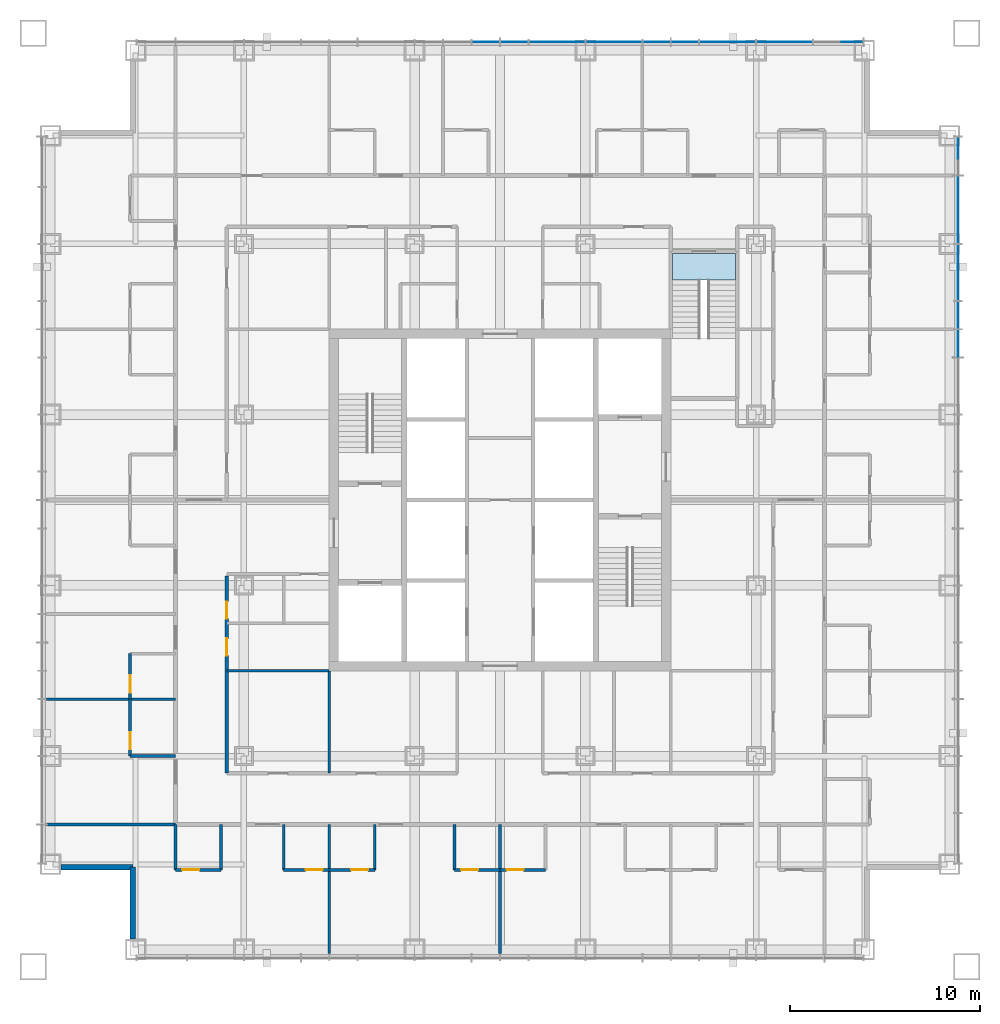
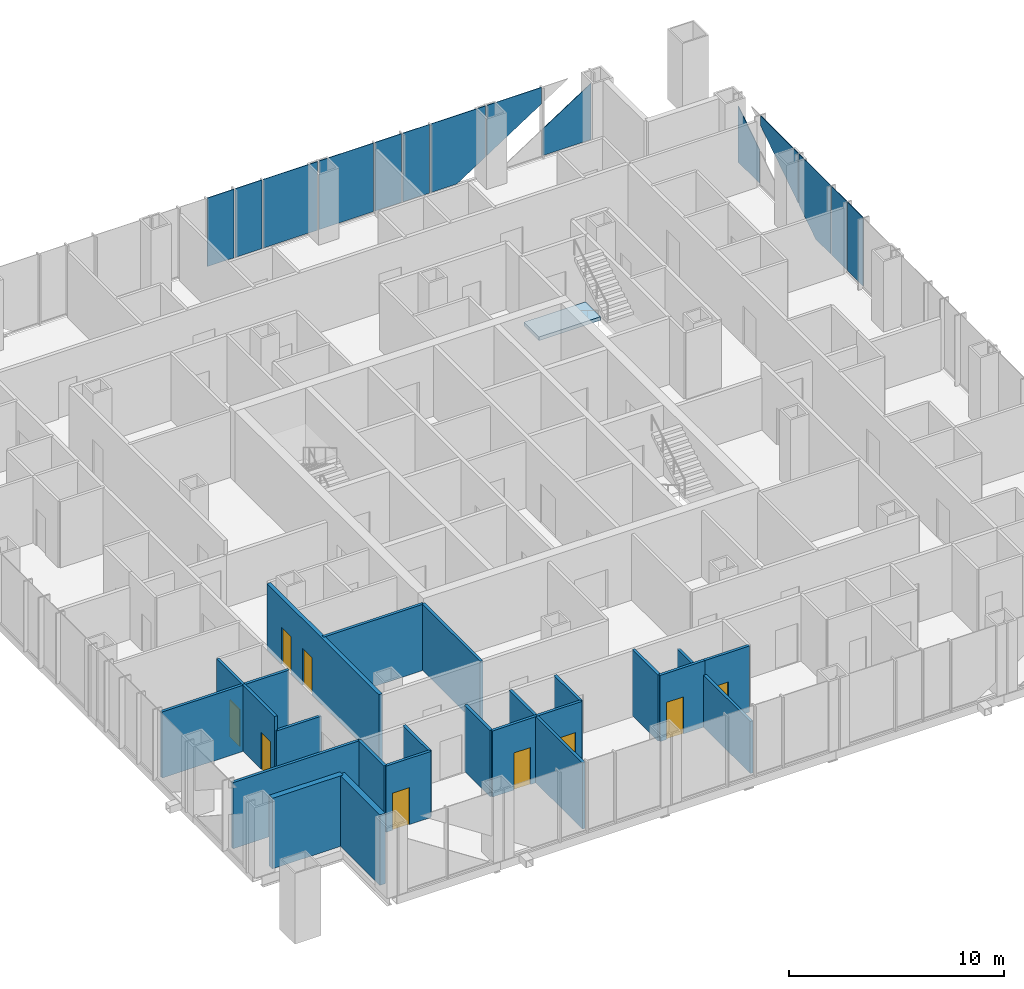
# One storey, part 8 of 14: 22 walls, 14 plates, 9 doors, 1 slab, 9 openings, 3 elements without a shape of their own.
"""IFC4 building model written with IfcOpenShell, lengths in metres."""

from ifc_helpers import new_model, si_unit, direction, frame, frame_2d, origin, origin_2d, place, context, subcontext, project, spatial, polyline, rectangle, outline, extrude, material, layer, layer_set, type_object, element, fill, aggregate, save


model = new_model("IFC4")

# Units and contexts
model_context = context("Model", 3, precision=1e-05, world=origin(), true_north=direction((0.0, 1.0)))
body_context = subcontext(model_context, "Body", "Model", "MODEL_VIEW")
ifc_project = project(units=[si_unit("LENGTHUNIT", "METRE"), si_unit("AREAUNIT", "SQUARE_METRE"), si_unit("VOLUMEUNIT", "CUBIC_METRE"), si_unit("PLANEANGLEUNIT", "RADIAN"), si_unit("MASSUNIT", "GRAM", prefix="KILO")], contexts=[model_context])

# Site, building, storey
site_placement = place(None, origin())
site = spatial("IfcSite", under=ifc_project, at=site_placement, CompositionType="ELEMENT")
building_placement = place(site_placement, origin())
building = spatial("IfcBuilding", under=site, at=building_placement, Name="Malebo Sky Hospital", CompositionType="ELEMENT")
storey_placement = place(building_placement, frame((0.0, 0.0, 164.0)))
storey = spatial("IfcBuildingStorey", under=building, at=storey_placement, Name="L39", CompositionType="ELEMENT", Elevation=164.0)

# Stair, slab
ifc_material_1 = material(Name="Concrete C40/50", Category="concrete")
stair_type = type_object("IfcStairType", Name="HALF-TURN STAIR 1400 R167", PredefinedType="HALF_TURN_STAIR", material=ifc_material_1)
stair_placement = place(storey_placement, origin())
stair = element("IfcStair", 1, at=stair_placement, inside=storey, type_object=stair_type, Name="Stair S3 L39 type ST1B", PredefinedType="HALF_TURN_STAIR")
ifc_layer_1 = layer(ifc_material_1, 0.199951171875)
ifc_layer_set_1 = layer_set([ifc_layer_1], Name="STAIR LANDING 200")
slab_type = type_object("IfcSlabType", Name="STAIR LANDING 200", PredefinedType="LANDING", material=ifc_layer_set_1)
slab_placement = place(storey_placement, frame((0.0, 0.0, -0.199951171875)))
slab = element("IfcSlab", 2, at=slab_placement, type_object=slab_type, Name="S3 landing 1", PredefinedType="LANDING", context=body_context, shape_type="SweptSolid", body=[
    extrude(outline(polyline([(69.10009765625, 73.60009765625), (72.39990234375, 73.60009765625), (72.39990234375, 75.0), (69.10009765625, 75.0), (69.10009765625, 73.60009765625)])), origin(), (0.0, 0.0, 1.0), 0.199951171875),
])
aggregate(stair, [slab])

# Curtain wall, plates
ifc_material_2 = material(Name="Anodised aluminium, natural silver", Category="aluminium")
ifc_layer_2 = layer(ifc_material_2, 0.25)
ifc_layer_set_2 = layer_set([ifc_layer_2], Name="WARD CURTAIN WALL NORTH AND SOUTH")
curtain_wall_type_1 = type_object("IfcCurtainWallType", Name="WARD CURTAIN WALL NORTH AND SOUTH", PredefinedType="NOTDEFINED", material=ifc_layer_set_2)
curtain_wall_1_placement = place(storey_placement, origin())
curtain_wall_1 = element("IfcCurtainWall", 3, at=curtain_wall_1_placement, inside=storey, type_object=curtain_wall_type_1, Name="NS curtain wall N", PredefinedType="NOTDEFINED")
ifc_material_3 = material(Name="Clear low-iron double glazing", Category="glass")
ifc_layer_3 = layer(ifc_material_3, 0.031982421875)
ifc_layer_set_3 = layer_set([ifc_layer_3], Name="VISION PANEL CLEAR 32")
plate_type = type_object("IfcPlateType", Name="VISION PANEL CLEAR 32", PredefinedType="CURTAIN_PANEL", material=ifc_layer_set_3)
plate_1_placement = place(storey_placement, frame((59.25, 86.135009765625, 0.10009765625), z_axis=(0.0, 0.0, 1.0), x_axis=(1.0, 0.0, 0.0)))
plate_1 = element("IfcPlate", 4, at=plate_1_placement, type_object=plate_type, Name="Panel 9", PredefinedType="CURTAIN_PANEL", context=body_context, shape_type="SweptSolid", body=[
    extrude(rectangle(XDim=1.425048828125, YDim=0.031982421875, at=origin_2d()), origin(), (0.0, 0.0, 1.0), 3.889892578125),
])
plate_2_placement = place(storey_placement, frame((60.75, 86.135009765625, 0.10009765625), z_axis=(0.0, 0.0, 1.0), x_axis=(1.0, 0.0, 0.0)))
plate_2 = element("IfcPlate", 5, at=plate_2_placement, type_object=plate_type, Name="Panel 10", PredefinedType="CURTAIN_PANEL", context=body_context, shape_type="SweptSolid", body=[
    extrude(rectangle(XDim=1.425048828125, YDim=0.031982421875, at=origin_2d()), origin(), (0.0, 0.0, 1.0), 3.889892578125),
])
plate_3_placement = place(storey_placement, frame((63.0, 86.135009765625, 0.10009765625), z_axis=(0.0, 0.0, 1.0), x_axis=(1.0, 0.0, 0.0)))
plate_3 = element("IfcPlate", 6, at=plate_3_placement, type_object=plate_type, Name="Panel 11", PredefinedType="CURTAIN_PANEL", context=body_context, shape_type="SweptSolid", body=[
    extrude(rectangle(XDim=2.925048828125, YDim=0.031982421875, at=origin_2d()), origin(), (0.0, 0.0, 1.0), 3.889892578125),
])
plate_4_placement = place(storey_placement, frame((66.0, 86.135009765625, 0.10009765625), z_axis=(0.0, 0.0, 1.0), x_axis=(1.0, 0.0, 0.0)))
plate_4 = element("IfcPlate", 7, at=plate_4_placement, type_object=plate_type, Name="Panel 12", PredefinedType="CURTAIN_PANEL", context=body_context, shape_type="SweptSolid", body=[
    extrude(rectangle(XDim=2.925048828125, YDim=0.031982421875, at=origin_2d()), origin(), (0.0, 0.0, 1.0), 3.889892578125),
])
plate_5_placement = place(storey_placement, frame((68.25, 86.135009765625, 0.10009765625), z_axis=(0.0, 0.0, 1.0), x_axis=(1.0, 0.0, 0.0)))
plate_5 = element("IfcPlate", 8, at=plate_5_placement, type_object=plate_type, Name="Panel 13", PredefinedType="CURTAIN_PANEL", context=body_context, shape_type="SweptSolid", body=[
    extrude(rectangle(XDim=1.425048828125, YDim=0.031982421875, at=origin_2d()), origin(), (0.0, 0.0, 1.0), 3.889892578125),
])
plate_6_placement = place(storey_placement, frame((69.75, 86.135009765625, 0.10009765625), z_axis=(0.0, 0.0, 1.0), x_axis=(1.0, 0.0, 0.0)))
plate_6 = element("IfcPlate", 9, at=plate_6_placement, type_object=plate_type, Name="Panel 14", PredefinedType="CURTAIN_PANEL", context=body_context, shape_type="SweptSolid", body=[
    extrude(rectangle(XDim=1.425048828125, YDim=0.031982421875, at=origin_2d()), origin(), (0.0, 0.0, 1.0), 3.889892578125),
])
plate_7_placement = place(storey_placement, frame((72.0, 86.135009765625, 0.10009765625), z_axis=(0.0, 0.0, 1.0), x_axis=(1.0, 0.0, 0.0)))
plate_7 = element("IfcPlate", 10, at=plate_7_placement, type_object=plate_type, Name="Panel 15", PredefinedType="CURTAIN_PANEL", context=body_context, shape_type="SweptSolid", body=[
    extrude(outline(polyline([(-1.46240234375, 0.0), (-0.07861328125, 0.0), (1.46240234375, 1.002197265625), (1.46240234375, 3.889892578125), (-1.46240234375, 3.889892578125), (-1.46240234375, 0.0)])), frame((0.0, 0.01611328125, 0.0), z_axis=(0.0, -1.0, 0.0), x_axis=(1.0, 0.0, 0.0)), (0.0, 0.0, 1.0), 0.031982421875),
])
plate_8_placement = place(storey_placement, frame((75.0, 86.135009765625, 1.151123046875), z_axis=(0.0, 0.0, 1.0), x_axis=(1.0, 0.0, 0.0)))
plate_8 = element("IfcPlate", 11, at=plate_8_placement, type_object=plate_type, Name="Panel 16", PredefinedType="CURTAIN_PANEL", context=body_context, shape_type="SweptSolid", body=[
    extrude(outline(polyline([(-1.46240234375, 0.0), (1.46240234375, 1.90234375), (1.46240234375, 2.8388671875), (-1.46240234375, 2.8388671875), (-1.46240234375, 0.0)])), frame((0.0, 0.01611328125, 0.0), z_axis=(0.0, -1.0, 0.0), x_axis=(1.0, 0.0, 0.0)), (0.0, 0.0, 1.0), 0.031982421875),
])
plate_9_placement = place(storey_placement, frame((77.831298828125, 86.135009765625, 0.10009765625), z_axis=(0.0, 0.0, 1.0), x_axis=(1.0, 0.0, 0.0)))
plate_9 = element("IfcPlate", 12, at=plate_9_placement, type_object=plate_type, Name="Panel 17", PredefinedType="CURTAIN_PANEL", context=body_context, shape_type="SweptSolid", body=[
    extrude(outline(polyline([(-1.293701171875, 0.0), (1.293701171875, 0.0), (1.293701171875, 3.19287109375), (-1.293701171875, 1.510009765625), (-1.293701171875, 0.0)])), frame((0.0, 0.01611328125, 0.0), z_axis=(0.0, -1.0, 0.0), x_axis=(1.0, 0.0, 0.0)), (0.0, 0.0, 1.0), 0.031982421875),
])
aggregate(curtain_wall_1, [plate_1, plate_2, plate_3, plate_4, plate_5, plate_6, plate_7, plate_8, plate_9])

ifc_layer_4 = layer(ifc_material_2, 0.25)
ifc_layer_set_4 = layer_set([ifc_layer_4], Name="WARD CURTAIN WALL EAST AND WEST")
curtain_wall_type_2 = type_object("IfcCurtainWallType", Name="WARD CURTAIN WALL EAST AND WEST", PredefinedType="NOTDEFINED", material=ifc_layer_set_4)
curtain_wall_2_placement = place(storey_placement, origin())
curtain_wall_2 = element("IfcCurtainWall", 13, at=curtain_wall_2_placement, inside=storey, type_object=curtain_wall_type_2, Name="EW curtain wall E", PredefinedType="NOTDEFINED")
plate_10_placement = place(storey_placement, frame((84.135009765625, 80.13134765625, 0.10009765625), z_axis=(0.0, 0.0, 1.0), x_axis=(0.0, -1.0, 0.0)))
plate_10 = element("IfcPlate", 14, at=plate_10_placement, type_object=plate_type, Name="Panel 1", PredefinedType="CURTAIN_PANEL", context=body_context, shape_type="SweptSolid", body=[
    extrude(outline(polyline([(-0.993896484375, 0.0), (0.993896484375, 0.0), (0.993896484375, 1.900146484375), (-0.993896484375, 3.19287109375), (-0.993896484375, 0.0)])), frame((0.0, 0.01611328125, 0.0), z_axis=(0.0, -1.0, 0.0), x_axis=(1.0, 0.0, 0.0)), (0.0, 0.0, 1.0), 0.031982421875),
])
plate_11_placement = place(storey_placement, frame((84.135009765625, 77.300048828125, 1.151123046875), z_axis=(0.0, 0.0, 1.0), x_axis=(0.0, -1.0, 0.0)))
plate_11 = element("IfcPlate", 15, at=plate_11_placement, type_object=plate_type, Name="Panel 2", PredefinedType="CURTAIN_PANEL", context=body_context, shape_type="SweptSolid", body=[
    extrude(outline(polyline([(1.762451171875, 0.0), (1.762451171875, 2.8388671875), (-1.762451171875, 2.8388671875), (-1.762451171875, 2.292724609375), (1.762451171875, 0.0)])), frame((0.0, 0.01611328125, 0.0), z_axis=(0.0, -1.0, 0.0), x_axis=(1.0, 0.0, 0.0)), (0.0, 0.0, 1.0), 0.031982421875),
])
plate_12_placement = place(storey_placement, frame((84.135009765625, 74.0, 0.10009765625), z_axis=(0.0, 0.0, 1.0), x_axis=(0.0, -1.0, 0.0)))
plate_12 = element("IfcPlate", 16, at=plate_12_placement, type_object=plate_type, Name="Panel 3", PredefinedType="CURTAIN_PANEL", context=body_context, shape_type="SweptSolid", body=[
    extrude(outline(polyline([(0.07861328125, 0.0), (1.46240234375, 0.0), (1.46240234375, 3.889892578125), (-1.46240234375, 3.889892578125), (-1.46240234375, 1.002197265625), (0.07861328125, 0.0)])), frame((0.0, 0.01611328125, 0.0), z_axis=(0.0, -1.0, 0.0), x_axis=(1.0, 0.0, 0.0)), (0.0, 0.0, 1.0), 0.031982421875),
])
plate_13_placement = place(storey_placement, frame((84.135009765625, 71.75, 0.10009765625), z_axis=(0.0, 0.0, 1.0), x_axis=(0.0, -1.0, 0.0)))
plate_13 = element("IfcPlate", 17, at=plate_13_placement, type_object=plate_type, Name="Panel 4", PredefinedType="CURTAIN_PANEL", context=body_context, shape_type="SweptSolid", body=[
    extrude(rectangle(XDim=1.425048828125, YDim=0.031982421875, at=origin_2d()), origin(), (0.0, 0.0, 1.0), 3.889892578125),
])
plate_14_placement = place(storey_placement, frame((84.135009765625, 70.25, 0.10009765625), z_axis=(0.0, 0.0, 1.0), x_axis=(0.0, -1.0, 0.0)))
plate_14 = element("IfcPlate", 18, at=plate_14_placement, type_object=plate_type, Name="Panel 5", PredefinedType="CURTAIN_PANEL", context=body_context, shape_type="SweptSolid", body=[
    extrude(rectangle(XDim=1.425048828125, YDim=0.031982421875, at=origin_2d()), origin(), (0.0, 0.0, 1.0), 3.889892578125),
])
aggregate(curtain_wall_2, [plate_10, plate_11, plate_12, plate_13, plate_14])

# Wall, openings, doors
ifc_material_4 = material(Name="Gypsum board on steel studs", Category="steel")
ifc_layer_5 = layer(ifc_material_4, 0.199951171875)
ifc_layer_set_5 = layer_set([ifc_layer_5], Name="CORRIDOR WALL 200")
wall_type_1 = type_object("IfcWallType", Name="CORRIDOR WALL 200", PredefinedType="PARTITIONING", material=ifc_layer_set_5)
wall_1_placement = place(storey_placement, frame((45.60009765625, 47.60009765625, 0.0), z_axis=(0.0, 0.0, 1.0), x_axis=(0.0, 1.0, 0.0)))
wall_1 = element("IfcWall", 19, at=wall_1_placement, inside=storey, type_object=wall_type_1, Name="Corridor Wall 200 WCI1", PredefinedType="PARTITIONING", context=body_context, shape_type="SweptSolid", body=[
    extrude(rectangle(XDim=10.39990234375, YDim=0.199951171875, at=frame_2d((5.199951171875, 0.0))), origin(), (0.0, 0.0, 1.0), 3.75),
])
opening_1_placement = place(wall_1_placement, frame((6.199951171875, 0.0, 0.0)))
opening_1 = element("IfcOpeningElement", 20, at=opening_1_placement, cuts=wall_1, Name="Opening D04", PredefinedType="OPENING", context=body_context, shape_type="SweptSolid", body=[
    extrude(rectangle(XDim=0.89990234375, YDim=2.10009765625, at=frame_2d((0.449951171875, 1.050048828125))), frame((0.0, 0.10986328125, 0.0), z_axis=(0.0, -1.0, 0.0), x_axis=(1.0, 0.0, 0.0)), (0.0, 0.0, 1.0), 0.219970703125),
])
opening_2_placement = place(wall_1_placement, frame((8.14990234375, 0.0, 0.0)))
opening_2 = element("IfcOpeningElement", 21, at=opening_2_placement, cuts=wall_1, Name="Opening D04", PredefinedType="OPENING", context=body_context, shape_type="SweptSolid", body=[
    extrude(rectangle(XDim=0.89990234375, YDim=2.10009765625, at=frame_2d((0.449951171875, 1.050048828125))), frame((0.0, 0.10986328125, 0.0), z_axis=(0.0, -1.0, 0.0), x_axis=(1.0, 0.0, 0.0)), (0.0, 0.0, 1.0), 0.219970703125),
])
ifc_material_5 = material(Name="Hardwood-faced door leaf in steel frame", Category="steel")
door_type_1 = type_object("IfcDoorType", Name="ROOM DOOR 900", OperationType="SINGLE_SWING_LEFT", PredefinedType="DOOR", material=ifc_material_5)
door_1_placement = place(opening_1_placement, origin())
door_1 = element("IfcDoor", 22, at=door_1_placement, inside=storey, type_object=door_type_1, Name="Dirty utility room door", OperationType="SINGLE_SWING_LEFT", OverallHeight=2.10009765625, OverallWidth=0.89990234375, PredefinedType="DOOR", context=body_context, shape_type="SweptSolid", body=[
    extrude(rectangle(XDim=0.89990234375, YDim=2.10009765625, at=frame_2d((0.449951171875, 1.050048828125))), frame((0.0, 0.02490234375, 0.0), z_axis=(0.0, -1.0, 0.0), x_axis=(1.0, 0.0, 0.0)), (0.0, 0.0, 1.0), 0.050048828125),
])
fill(opening_1, door_1)
door_2_placement = place(opening_2_placement, origin())
door_2 = element("IfcDoor", 23, at=door_2_placement, inside=storey, type_object=door_type_1, Name="Linen store door", OperationType="SINGLE_SWING_LEFT", OverallHeight=2.10009765625, OverallWidth=0.89990234375, PredefinedType="DOOR", context=body_context, shape_type="SweptSolid", body=[
    extrude(rectangle(XDim=0.89990234375, YDim=2.10009765625, at=frame_2d((0.449951171875, 1.050048828125))), frame((0.0, 0.02490234375, 0.0), z_axis=(0.0, -1.0, 0.0), x_axis=(1.0, 0.0, 0.0)), (0.0, 0.0, 1.0), 0.050048828125),
])
fill(opening_2, door_2)

# Walls
ifc_material_6 = material(Name="Anodised aluminium rainscreen on steel framing", Category="steel")
ifc_layer_6 = layer(ifc_material_6, 0.300048828125)
ifc_layer_set_6 = layer_set([ifc_layer_6], Name="NOTCH RAINSCREEN WALL 300")
wall_type_2 = type_object("IfcWallType", Name="NOTCH RAINSCREEN WALL 300", PredefinedType="ELEMENTEDWALL", material=ifc_layer_set_6)
for number, where, z_axis, x_axis, name in (
    (24, (40.64990234375, 38.85009765625, 0.0), (0.0, 0.0, 1.0), (0.0, 1.0, 0.0), "Notch rainscreen wall S1 L39"),
    (25, (40.64990234375, 42.64990234375, 0.0), (0.0, 0.0, 1.0), (-1.0, 0.0, 0.0), "Notch rainscreen wall S2 L39"),
):
    element("IfcWall", number, at=place(storey_placement, frame(where, z_axis=z_axis, x_axis=x_axis)), inside=storey, type_object=wall_type_2, Name=name, PredefinedType="ELEMENTEDWALL", context=body_context, shape_type="SweptSolid", body=[
        extrude(rectangle(XDim=3.7998046875, YDim=0.300048828125, at=frame_2d((1.89990234375, 0.0))), origin(), (0.0, 0.0, 1.0), 4.0),
    ])
ifc_layer_7 = layer(ifc_material_4, 0.14990234375)
ifc_layer_set_7 = layer_set([ifc_layer_7], Name="PARTITION 150")
wall_type_3 = type_object("IfcWallType", Name="PARTITION 150", PredefinedType="PARTITIONING", material=ifc_layer_set_7)
for number, where, z_axis, x_axis, name in (
    (26, (42.89990234375, 51.5, 0.0), (0.0, 0.0, 1.0), (-1.0, 0.0, 0.0), "Partition 150 WP-10.5"),
    (27, (42.89990234375, 44.89990234375, 0.0), (0.0, 0.0, 1.0), (-1.0, 0.0, 0.0), "Partition 150 WP0"),
):
    element("IfcWall", number, at=place(storey_placement, frame(where, z_axis=z_axis, x_axis=x_axis)), inside=storey, type_object=wall_type_3, Name=name, PredefinedType="PARTITIONING", context=body_context, shape_type="SweptSolid", body=[
        extrude(rectangle(XDim=6.809814453125, YDim=0.14990234375, at=frame_2d((3.40478515625, 0.0))), origin(), (0.0, 0.0, 1.0), 3.75),
    ])

# Wall, opening, door
wall_2_placement = place(storey_placement, frame((40.5, 48.5, 0.0), z_axis=(0.0, 0.0, 1.0), x_axis=(0.0, 1.0, 0.0)))
wall_2 = element("IfcWall", 28, at=wall_2_placement, inside=storey, type_object=wall_type_3, Name="Partition 150 WE0F", PredefinedType="PARTITIONING", context=body_context, shape_type="SweptSolid", body=[
    extrude(rectangle(XDim=3.0, YDim=0.14990234375, at=frame_2d((1.5, 0.0))), origin(), (0.0, 0.0, 1.0), 3.75),
])
opening_3_placement = place(wall_2_placement, frame((0.35009765625, 0.0, 0.0)))
opening_3 = element("IfcOpeningElement", 29, at=opening_3_placement, cuts=wall_2, Name="Opening D02", PredefinedType="OPENING", context=body_context, shape_type="SweptSolid", body=[
    extrude(rectangle(XDim=0.89990234375, YDim=2.10009765625, at=frame_2d((0.449951171875, 1.050048828125))), frame((0.0, 0.0849609375, 0.0), z_axis=(0.0, -1.0, 0.0), x_axis=(1.0, 0.0, 0.0)), (0.0, 0.0, 1.0), 0.169921875),
])
door_type_2 = type_object("IfcDoorType", Name="EN-SUITE DOOR 900", OperationType="SINGLE_SWING_LEFT", PredefinedType="DOOR", material=ifc_material_5)
door_3_placement = place(opening_3_placement, origin())
door_3 = element("IfcDoor", 30, at=door_3_placement, inside=storey, type_object=door_type_2, Name="En-suite door", OperationType="SINGLE_SWING_LEFT", OverallHeight=2.10009765625, OverallWidth=0.89990234375, PredefinedType="DOOR", context=body_context, shape_type="SweptSolid", body=[
    extrude(rectangle(XDim=0.89990234375, YDim=2.10009765625, at=frame_2d((0.449951171875, 1.050048828125))), frame((0.0, 0.02490234375, 0.0), z_axis=(0.0, -1.0, 0.0), x_axis=(1.0, 0.0, 0.0)), (0.0, 0.0, 1.0), 0.050048828125),
])
fill(opening_3, door_3)

# Wall
wall_3_placement = place(storey_placement, frame((42.89990234375, 48.5, 0.0), z_axis=(0.0, 0.0, 1.0), x_axis=(-1.0, 0.0, 0.0)))
element("IfcWall", 31, at=wall_3_placement, inside=storey, type_object=wall_type_3, Name="Partition 150 WE0S", PredefinedType="PARTITIONING", context=body_context, shape_type="SweptSolid", body=[
    extrude(rectangle(XDim=2.39990234375, YDim=0.14990234375, at=frame_2d((1.199951171875, 0.0))), origin(), (0.0, 0.0, 1.0), 2.949951171875),
])

# Wall, opening, door
wall_4_placement = place(storey_placement, frame((40.5, 51.5, 0.0), z_axis=(0.0, 0.0, 1.0), x_axis=(0.0, 1.0, 0.0)))
wall_4 = element("IfcWall", 32, at=wall_4_placement, inside=storey, type_object=wall_type_3, Name="Partition 150 WE1F", PredefinedType="PARTITIONING", context=body_context, shape_type="SweptSolid", body=[
    extrude(rectangle(XDim=2.39990234375, YDim=0.14990234375, at=frame_2d((1.199951171875, 0.0))), origin(), (0.0, 0.0, 1.0), 3.75),
])
opening_4_placement = place(wall_4_placement, frame((0.35009765625, 0.0, 0.0)))
opening_4 = element("IfcOpeningElement", 33, at=opening_4_placement, cuts=wall_4, Name="Opening D02", PredefinedType="OPENING", context=body_context, shape_type="SweptSolid", body=[
    extrude(rectangle(XDim=0.89990234375, YDim=2.10009765625, at=frame_2d((0.449951171875, 1.050048828125))), frame((0.0, 0.0849609375, 0.0), z_axis=(0.0, -1.0, 0.0), x_axis=(1.0, 0.0, 0.0)), (0.0, 0.0, 1.0), 0.169921875),
])
door_4_placement = place(opening_4_placement, origin())
door_4 = element("IfcDoor", 34, at=door_4_placement, inside=storey, type_object=door_type_2, Name="En-suite door", OperationType="SINGLE_SWING_LEFT", OverallHeight=2.10009765625, OverallWidth=0.89990234375, PredefinedType="DOOR", context=body_context, shape_type="SweptSolid", body=[
    extrude(rectangle(XDim=0.89990234375, YDim=2.10009765625, at=frame_2d((0.449951171875, 1.050048828125))), frame((0.0, 0.02490234375, 0.0), z_axis=(0.0, -1.0, 0.0), x_axis=(1.0, 0.0, 0.0)), (0.0, 0.0, 1.0), 0.050048828125),
])
fill(opening_4, door_4)

# Walls
wall_5_placement = place(storey_placement, frame((51.0, 53.0, 0.0), z_axis=(0.0, 0.0, 1.0), x_axis=(-1.0, 0.0, 0.0)))
element("IfcWall", 35, at=wall_5_placement, inside=storey, type_object=wall_type_3, Name="Partition 150 WSP0", PredefinedType="PARTITIONING", context=body_context, shape_type="SweptSolid", body=[
    extrude(rectangle(XDim=5.39990234375, YDim=0.14990234375, at=frame_2d((2.699951171875, 0.0))), origin(), (0.0, 0.0, 1.0), 3.75),
])
wall_6_placement = place(storey_placement, frame((60.0, 44.89990234375, 0.0), z_axis=(0.0, 0.0, 1.0), x_axis=(0.0, -1.0, 0.0)))
element("IfcWall", 36, at=wall_6_placement, inside=storey, type_object=wall_type_3, Name="Partition 150 SP+0.0", PredefinedType="PARTITIONING", context=body_context, shape_type="SweptSolid", body=[
    extrude(rectangle(XDim=6.809814453125, YDim=0.14990234375, at=frame_2d((3.40478515625, 0.0))), origin(), (0.0, 0.0, 1.0), 2.949951171875),
])
wall_7_placement = place(storey_placement, frame((51.0, 44.89990234375, 0.0), z_axis=(0.0, 0.0, 1.0), x_axis=(0.0, -1.0, 0.0)))
element("IfcWall", 37, at=wall_7_placement, inside=storey, type_object=wall_type_3, Name="Partition 150 SP+9.0", PredefinedType="PARTITIONING", context=body_context, shape_type="SweptSolid", body=[
    extrude(rectangle(XDim=6.809814453125, YDim=0.14990234375, at=frame_2d((3.40478515625, 0.0))), origin(), (0.0, 0.0, 1.0), 3.75),
])

# Wall, opening, door
wall_8_placement = place(storey_placement, frame((62.39990234375, 42.5, 0.0), z_axis=(0.0, 0.0, 1.0), x_axis=(-1.0, 0.0, 0.0)))
wall_8 = element("IfcWall", 38, at=wall_8_placement, inside=storey, type_object=wall_type_3, Name="Partition 150 SG1F", PredefinedType="PARTITIONING", context=body_context, shape_type="SweptSolid", body=[
    extrude(rectangle(XDim=2.39990234375, YDim=0.14990234375, at=frame_2d((1.199951171875, 0.0))), origin(), (0.0, 0.0, 1.0), 3.75),
])
opening_5_placement = place(wall_8_placement, frame((1.14990234375, 0.0, 0.0)))
opening_5 = element("IfcOpeningElement", 39, at=opening_5_placement, cuts=wall_8, Name="Opening D02", PredefinedType="OPENING", context=body_context, shape_type="SweptSolid", body=[
    extrude(rectangle(XDim=0.89990234375, YDim=2.10009765625, at=frame_2d((0.449951171875, 1.050048828125))), frame((0.0, 0.0849609375, 0.0), z_axis=(0.0, -1.0, 0.0), x_axis=(1.0, 0.0, 0.0)), (0.0, 0.0, 1.0), 0.169921875),
])
door_5_placement = place(opening_5_placement, origin())
door_5 = element("IfcDoor", 40, at=door_5_placement, inside=storey, type_object=door_type_2, Name="En-suite door", OperationType="SINGLE_SWING_RIGHT", OverallHeight=2.10009765625, OverallWidth=0.89990234375, PredefinedType="DOOR", context=body_context, shape_type="SweptSolid", body=[
    extrude(rectangle(XDim=0.89990234375, YDim=2.10009765625, at=frame_2d((0.449951171875, 1.050048828125))), frame((0.0, 0.02490234375, 0.0), z_axis=(0.0, -1.0, 0.0), x_axis=(1.0, 0.0, 0.0)), (0.0, 0.0, 1.0), 0.050048828125),
])
fill(opening_5, door_5)

wall_9_placement = place(storey_placement, frame((53.39990234375, 42.5, 0.0), z_axis=(0.0, 0.0, 1.0), x_axis=(-1.0, 0.0, 0.0)))
wall_9 = element("IfcWall", 41, at=wall_9_placement, inside=storey, type_object=wall_type_3, Name="Partition 150 SE2F", PredefinedType="PARTITIONING", context=body_context, shape_type="SweptSolid", body=[
    extrude(rectangle(XDim=2.39990234375, YDim=0.14990234375, at=frame_2d((1.199951171875, 0.0))), origin(), (0.0, 0.0, 1.0), 3.75),
])
opening_6_placement = place(wall_9_placement, frame((0.35009765625, 0.0, 0.0)))
opening_6 = element("IfcOpeningElement", 42, at=opening_6_placement, cuts=wall_9, Name="Opening D02", PredefinedType="OPENING", context=body_context, shape_type="SweptSolid", body=[
    extrude(rectangle(XDim=0.89990234375, YDim=2.10009765625, at=frame_2d((0.449951171875, 1.050048828125))), frame((0.0, 0.0849609375, 0.0), z_axis=(0.0, -1.0, 0.0), x_axis=(1.0, 0.0, 0.0)), (0.0, 0.0, 1.0), 0.169921875),
])
door_6_placement = place(opening_6_placement, origin())
door_6 = element("IfcDoor", 43, at=door_6_placement, inside=storey, type_object=door_type_2, Name="En-suite door", OperationType="SINGLE_SWING_LEFT", OverallHeight=2.10009765625, OverallWidth=0.89990234375, PredefinedType="DOOR", context=body_context, shape_type="SweptSolid", body=[
    extrude(rectangle(XDim=0.89990234375, YDim=2.10009765625, at=frame_2d((0.449951171875, 1.050048828125))), frame((0.0, 0.02490234375, 0.0), z_axis=(0.0, -1.0, 0.0), x_axis=(1.0, 0.0, 0.0)), (0.0, 0.0, 1.0), 0.050048828125),
])
fill(opening_6, door_6)

# Wall
wall_10_placement = place(storey_placement, frame((53.39990234375, 44.89990234375, 0.0), z_axis=(0.0, 0.0, 1.0), x_axis=(0.0, -1.0, 0.0)))
element("IfcWall", 44, at=wall_10_placement, inside=storey, type_object=wall_type_3, Name="Partition 150 SE2S", PredefinedType="PARTITIONING", context=body_context, shape_type="SweptSolid", body=[
    extrude(rectangle(XDim=2.39990234375, YDim=0.14990234375, at=frame_2d((1.199951171875, 0.0))), origin(), (0.0, 0.0, 1.0), 3.75),
])

# Wall, opening, door
wall_11_placement = place(storey_placement, frame((60.0, 42.5, 0.0), z_axis=(0.0, 0.0, 1.0), x_axis=(-1.0, 0.0, 0.0)))
wall_11 = element("IfcWall", 45, at=wall_11_placement, inside=storey, type_object=wall_type_3, Name="Partition 150 SG2F", PredefinedType="PARTITIONING", context=body_context, shape_type="SweptSolid", body=[
    extrude(rectangle(XDim=2.39990234375, YDim=0.14990234375, at=frame_2d((1.199951171875, 0.0))), origin(), (0.0, 0.0, 1.0), 3.75),
])
opening_7_placement = place(wall_11_placement, frame((1.14990234375, 0.0, 0.0)))
opening_7 = element("IfcOpeningElement", 46, at=opening_7_placement, cuts=wall_11, Name="Opening D02", PredefinedType="OPENING", context=body_context, shape_type="SweptSolid", body=[
    extrude(rectangle(XDim=0.89990234375, YDim=2.10009765625, at=frame_2d((0.449951171875, 1.050048828125))), frame((0.0, 0.0849609375, 0.0), z_axis=(0.0, -1.0, 0.0), x_axis=(1.0, 0.0, 0.0)), (0.0, 0.0, 1.0), 0.169921875),
])
door_7_placement = place(opening_7_placement, origin())
door_7 = element("IfcDoor", 47, at=door_7_placement, inside=storey, type_object=door_type_2, Name="En-suite door", OperationType="SINGLE_SWING_RIGHT", OverallHeight=2.10009765625, OverallWidth=0.89990234375, PredefinedType="DOOR", context=body_context, shape_type="SweptSolid", body=[
    extrude(rectangle(XDim=0.89990234375, YDim=2.10009765625, at=frame_2d((0.449951171875, 1.050048828125))), frame((0.0, 0.02490234375, 0.0), z_axis=(0.0, -1.0, 0.0), x_axis=(1.0, 0.0, 0.0)), (0.0, 0.0, 1.0), 0.050048828125),
])
fill(opening_7, door_7)

# Wall
wall_12_placement = place(storey_placement, frame((57.60009765625, 44.89990234375, 0.0), z_axis=(0.0, 0.0, 1.0), x_axis=(0.0, -1.0, 0.0)))
element("IfcWall", 48, at=wall_12_placement, inside=storey, type_object=wall_type_3, Name="Partition 150 SG2S", PredefinedType="PARTITIONING", context=body_context, shape_type="SweptSolid", body=[
    extrude(rectangle(XDim=2.39990234375, YDim=0.14990234375, at=frame_2d((1.199951171875, 0.0))), origin(), (0.0, 0.0, 1.0), 3.75),
])

# Wall, opening, door
wall_13_placement = place(storey_placement, frame((51.0, 42.5, 0.0), z_axis=(0.0, 0.0, 1.0), x_axis=(-1.0, 0.0, 0.0)))
wall_13 = element("IfcWall", 49, at=wall_13_placement, inside=storey, type_object=wall_type_3, Name="Partition 150 SE3F", PredefinedType="PARTITIONING", context=body_context, shape_type="SweptSolid", body=[
    extrude(rectangle(XDim=2.39990234375, YDim=0.14990234375, at=frame_2d((1.199951171875, 0.0))), origin(), (0.0, 0.0, 1.0), 3.75),
])
opening_8_placement = place(wall_13_placement, frame((0.35009765625, 0.0, 0.0)))
opening_8 = element("IfcOpeningElement", 50, at=opening_8_placement, cuts=wall_13, Name="Opening D02", PredefinedType="OPENING", context=body_context, shape_type="SweptSolid", body=[
    extrude(rectangle(XDim=0.89990234375, YDim=2.10009765625, at=frame_2d((0.449951171875, 1.050048828125))), frame((0.0, 0.0849609375, 0.0), z_axis=(0.0, -1.0, 0.0), x_axis=(1.0, 0.0, 0.0)), (0.0, 0.0, 1.0), 0.169921875),
])
door_8_placement = place(opening_8_placement, origin())
door_8 = element("IfcDoor", 51, at=door_8_placement, inside=storey, type_object=door_type_2, Name="En-suite door", OperationType="SINGLE_SWING_LEFT", OverallHeight=2.10009765625, OverallWidth=0.89990234375, PredefinedType="DOOR", context=body_context, shape_type="SweptSolid", body=[
    extrude(rectangle(XDim=0.89990234375, YDim=2.10009765625, at=frame_2d((0.449951171875, 1.050048828125))), frame((0.0, 0.02490234375, 0.0), z_axis=(0.0, -1.0, 0.0), x_axis=(1.0, 0.0, 0.0)), (0.0, 0.0, 1.0), 0.050048828125),
])
fill(opening_8, door_8)

# Wall
wall_14_placement = place(storey_placement, frame((48.60009765625, 44.89990234375, 0.0), z_axis=(0.0, 0.0, 1.0), x_axis=(0.0, -1.0, 0.0)))
element("IfcWall", 52, at=wall_14_placement, inside=storey, type_object=wall_type_3, Name="Partition 150 SE3S", PredefinedType="PARTITIONING", context=body_context, shape_type="SweptSolid", body=[
    extrude(rectangle(XDim=2.39990234375, YDim=0.14990234375, at=frame_2d((1.199951171875, 0.0))), origin(), (0.0, 0.0, 1.0), 3.75),
])

# Wall, opening, door
wall_15_placement = place(storey_placement, frame((45.300048828125, 42.5, 0.0), z_axis=(0.0, 0.0, 1.0), x_axis=(-1.0, 0.0, 0.0)))
wall_15 = element("IfcWall", 53, at=wall_15_placement, inside=storey, type_object=wall_type_3, Name="Partition 150 SG3F", PredefinedType="PARTITIONING", context=body_context, shape_type="SweptSolid", body=[
    extrude(rectangle(XDim=2.400146484375, YDim=0.14990234375, at=frame_2d((1.2001953125, 0.0))), origin(), (0.0, 0.0, 1.0), 3.75),
])
opening_9_placement = place(wall_15_placement, frame((1.14990234375, 0.0, 0.0)))
opening_9 = element("IfcOpeningElement", 54, at=opening_9_placement, cuts=wall_15, Name="Opening D02", PredefinedType="OPENING", context=body_context, shape_type="SweptSolid", body=[
    extrude(rectangle(XDim=0.89990234375, YDim=2.10009765625, at=frame_2d((0.449951171875, 1.050048828125))), frame((0.0, 0.0849609375, 0.0), z_axis=(0.0, -1.0, 0.0), x_axis=(1.0, 0.0, 0.0)), (0.0, 0.0, 1.0), 0.169921875),
])
door_9_placement = place(opening_9_placement, origin())
door_9 = element("IfcDoor", 55, at=door_9_placement, inside=storey, type_object=door_type_2, Name="En-suite door", OperationType="SINGLE_SWING_RIGHT", OverallHeight=2.10009765625, OverallWidth=0.89990234375, PredefinedType="DOOR", context=body_context, shape_type="SweptSolid", body=[
    extrude(rectangle(XDim=0.89990234375, YDim=2.10009765625, at=frame_2d((0.449951171875, 1.050048828125))), frame((0.0, 0.02490234375, 0.0), z_axis=(0.0, -1.0, 0.0), x_axis=(1.0, 0.0, 0.0)), (0.0, 0.0, 1.0), 0.050048828125),
])
fill(opening_9, door_9)

# Walls
for number, where, z_axis, x_axis, name in (
    (56, (45.300048828125, 44.89990234375, 0.0), (0.0, 0.0, 1.0), (0.0, -1.0, 0.0), "Partition 150 SG3S"),
    (57, (42.89990234375, 44.89990234375, 0.0), (0.0, 0.0, 1.0), (0.0, -1.0, 0.0), "Partition 150 SEZ"),
):
    element("IfcWall", number, at=place(storey_placement, frame(where, z_axis=z_axis, x_axis=x_axis)), inside=storey, type_object=wall_type_3, Name=name, PredefinedType="PARTITIONING", context=body_context, shape_type="SweptSolid", body=[
        extrude(rectangle(XDim=2.39990234375, YDim=0.14990234375, at=frame_2d((1.199951171875, 0.0))), origin(), (0.0, 0.0, 1.0), 3.75),
    ])
wall_16_placement = place(storey_placement, frame((51.0, 53.0, 0.0), z_axis=(0.0, 0.0, 1.0), x_axis=(0.0, -1.0, 0.0)))
element("IfcWall", 58, at=wall_16_placement, inside=storey, type_object=wall_type_3, Name="Partition 150 SSP+9.0", PredefinedType="PARTITIONING", context=body_context, shape_type="SweptSolid", body=[
    extrude(rectangle(XDim=5.39990234375, YDim=0.14990234375, at=frame_2d((2.699951171875, 0.0))), origin(), (0.0, 0.0, 1.0), 3.75),
])

save(model, "model.ifc")
